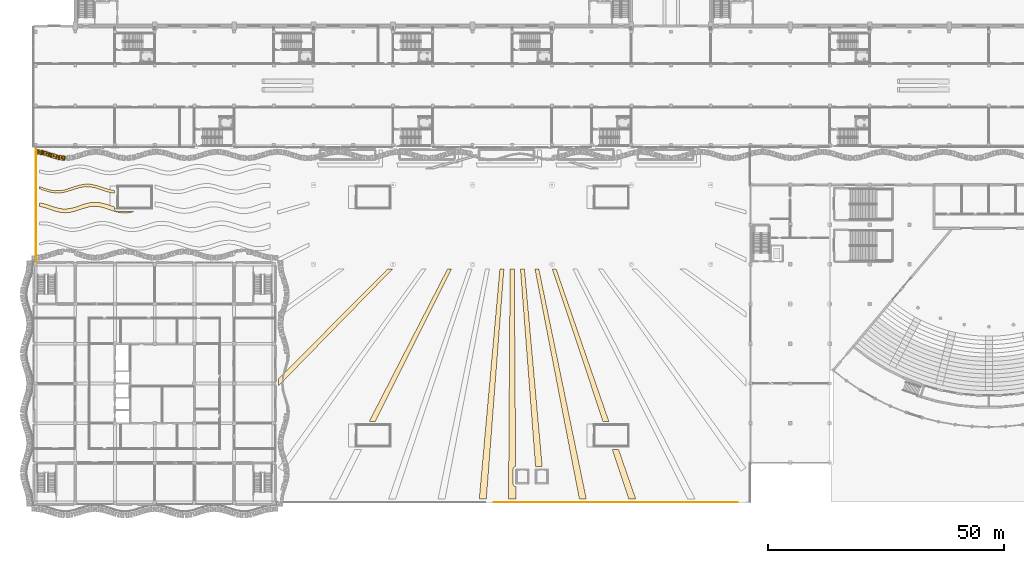
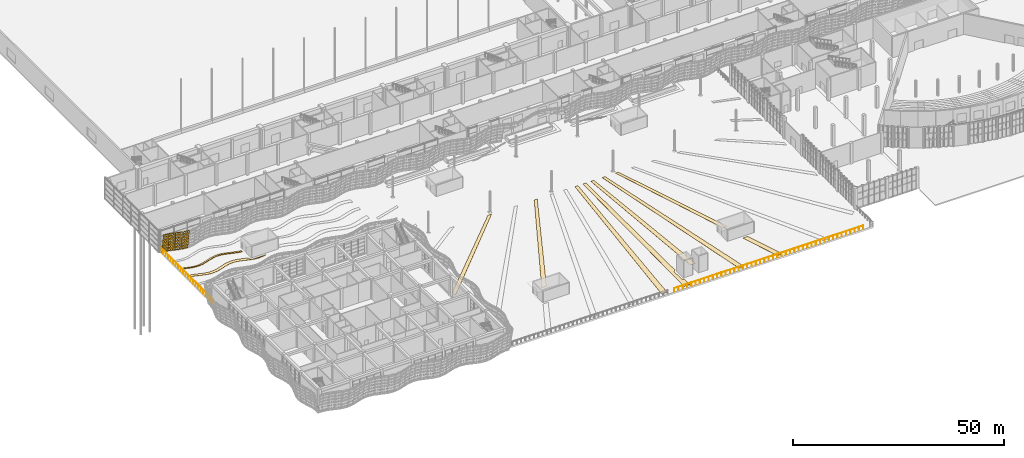
# One storey, part 165 of 210: 14 coverings, 2 railings.
"""IFC4 building model written with IfcOpenShell, lengths in metres."""

from ifc_helpers import new_model, si_unit, direction, frame, origin, origin_2d, place, context, subcontext, project, spatial, polyline, circle, outline, extrude, material, layer, layer_set, type_object, element, save


model = new_model("IFC4")

# Units and contexts
model_context = context("Model", 3, precision=1e-05, world=origin(), true_north=direction((0.0, 1.0)))
body_context = subcontext(model_context, "Body", "Model", "MODEL_VIEW")
ifc_project = project(units=[si_unit("LENGTHUNIT", "METRE"), si_unit("AREAUNIT", "SQUARE_METRE"), si_unit("VOLUMEUNIT", "CUBIC_METRE"), si_unit("PLANEANGLEUNIT", "RADIAN"), si_unit("MASSUNIT", "GRAM", prefix="KILO")], contexts=[model_context])

# Site, building, storey
site_placement = place(None, origin())
site = spatial("IfcSite", under=ifc_project, at=site_placement, CompositionType="ELEMENT")
building_placement = place(site_placement, origin())
building = spatial("IfcBuilding", under=site, at=building_placement, Name="Rain Tree Exposition and Congress Centre", CompositionType="ELEMENT")
storey_placement = place(building_placement, origin())
storey = spatial("IfcBuildingStorey", under=building, at=storey_placement, Name="L00", CompositionType="ELEMENT", Elevation=0.0)

# Coverings
ifc_material_1 = material(Name="Granite paving", Category="masonry")
ifc_layer_1 = layer(ifc_material_1, 0.030029296875)
ifc_layer_set_1 = layer_set([ifc_layer_1], Name="Granite paving")
covering_type_1 = type_object("IfcCoveringType", Name="Granite paving inlay 30", PredefinedType="FLOORING", material=ifc_layer_set_1)
covering_1_placement = place(storey_placement, origin())
element("IfcCovering", 1, at=covering_1_placement, inside=storey, type_object=covering_type_1, Name="Granite paving inlay 5", PredefinedType="FLOORING", context=body_context, shape_type="SweptSolid", body=[
    extrude(outline(polyline([(75.4990234375, 49.39990234375), (74.46240234375, 49.39990234375), (51.39990234375, 26.229248046875), (51.39990234375, 24.695556640625), (73.35791015625, 47.205078125), (75.4990234375, 49.39990234375)])), origin(), (0.0, 0.0, 1.0), 0.030029296875),
])
covering_2_placement = place(storey_placement, origin())
element("IfcCovering", 2, at=covering_2_placement, inside=storey, type_object=covering_type_1, Name="Granite paving inlay 7", PredefinedType="FLOORING", context=body_context, shape_type="SweptSolid", body=[
    extrude(outline(polyline([(87.95703125, 49.39990234375), (87.109619140625, 49.39990234375), (70.574951171875, 17.199951171875), (71.884033203125, 17.199951171875), (87.95703125, 49.39990234375)])), origin(), (0.0, 0.0, 1.0), 0.030029296875),
])
covering_3_placement = place(storey_placement, origin())
element("IfcCovering", 3, at=covering_3_placement, inside=storey, type_object=covering_type_1, Name="Granite paving inlay 11", PredefinedType="FLOORING", context=body_context, shape_type="SweptSolid", body=[
    extrude(outline(polyline([(99.05078125, 49.39990234375), (98.197265625, 49.39990234375), (93.83740234375, 0.800048828125), (95.338623046875, 0.800048828125), (99.05078125, 49.39990234375)])), origin(), (0.0, 0.0, 1.0), 0.030029296875),
])
covering_4_placement = place(storey_placement, origin())
element("IfcCovering", 4, at=covering_4_placement, inside=storey, type_object=covering_type_1, Name="Granite paving inlay 12", PredefinedType="FLOORING", context=body_context, shape_type="SweptSolid", body=[
    extrude(outline(polyline([(101.24609375, 49.39990234375), (100.353759765625, 49.39990234375), (100.0185546875, 0.800048828125), (101.581298828125, 0.800048828125), (101.5634765625, 3.40185546875), (101.370361328125, 3.44580078125), (101.17578125, 3.57568359375), (101.045654296875, 3.7705078125), (101.0, 4.0), (101.0029296875, 7.15869140625), (101.07080078125, 7.3828125), (101.17578125, 7.5244140625), (101.317138671875, 7.629150390625), (101.53369140625, 7.696044921875), (101.24609375, 49.39990234375)])), origin(), (0.0, 0.0, 1.0), 0.030029296875),
])
covering_5_placement = place(storey_placement, origin())
element("IfcCovering", 5, at=covering_5_placement, inside=storey, type_object=covering_type_1, Name="Granite paving inlay 13", PredefinedType="FLOORING", context=body_context, shape_type="SweptSolid", body=[
    extrude(outline(polyline([(103.40283203125, 49.39990234375), (102.549072265625, 49.39990234375), (105.734130859375, 7.699951171875), (107.143798828125, 7.699951171875), (105.579345703125, 25.137939453125), (103.40283203125, 49.39990234375)])), origin(), (0.0, 0.0, 1.0), 0.030029296875),
])
covering_6_placement = place(storey_placement, origin())
element("IfcCovering", 6, at=covering_6_placement, inside=storey, type_object=covering_type_1, Name="Granite paving inlay 14", PredefinedType="FLOORING", context=body_context, shape_type="SweptSolid", body=[
    extrude(outline(polyline([(106.44580078125, 49.39990234375), (105.61669921875, 49.39990234375), (115.000244140625, 0.800048828125), (116.468994140625, 0.800048828125), (109.44140625, 34.874755859375), (106.44580078125, 49.39990234375)])), origin(), (0.0, 0.0, 1.0), 0.030029296875),
])
covering_7_placement = place(storey_placement, origin())
element("IfcCovering", 7, at=covering_7_placement, inside=storey, type_object=covering_type_1, Name="Granite paving inlay 15", PredefinedType="FLOORING", context=body_context, shape_type="SweptSolid", body=[
    extrude(outline(polyline([(110.10302734375, 49.39990234375), (109.2783203125, 49.39990234375), (119.98828125, 17.199951171875), (121.24560546875, 17.199951171875), (114.450439453125, 36.837158203125), (110.10302734375, 49.39990234375)])), origin(), (0.0, 0.0, 1.0), 0.030029296875),
])
covering_8_placement = place(storey_placement, origin())
element("IfcCovering", 8, at=covering_8_placement, inside=storey, type_object=covering_type_1, Name="Granite paving inlay 16", PredefinedType="FLOORING", context=body_context, shape_type="SweptSolid", body=[
    extrude(outline(polyline([(123.322021484375, 11.199951171875), (121.98388671875, 11.199951171875), (125.443115234375, 0.800048828125), (126.9208984375, 0.800048828125), (124.23486328125, 8.561767578125), (123.322021484375, 11.199951171875)])), origin(), (0.0, 0.0, 1.0), 0.030029296875),
])
covering_9_placement = place(storey_placement, origin())
element("IfcCovering", 9, at=covering_9_placement, inside=storey, type_object=covering_type_1, Name="Granite paving inlay 32", PredefinedType="FLOORING", context=body_context, shape_type="SweptSolid", body=[
    extrude(outline(polyline([(2.208251953125, 63.10107421875), (1.115478515625, 63.36962890625), (0.800048828125, 63.39990234375), (0.800048828125, 62.640625), (0.984619140625, 62.62158203125), (1.99169921875, 62.36328125), (4.092529296875, 61.653564453125), (5.187744140625, 61.390380859375), (6.303955078125, 61.297119140625), (7.42041015625, 61.402587890625), (8.51611328125, 61.672119140625), (10.614990234375, 62.36181640625), (11.61669921875, 62.594970703125), (12.595703125, 62.66845703125), (13.57470703125, 62.56640625), (14.575927734375, 62.309326171875), (16.67724609375, 61.599609375), (17.779052734375, 61.334716796875), (18.904541015625, 61.240966796875), (20.030029296875, 61.34716796875), (21.05859375, 61.60009765625), (17.182861328125, 61.611572265625), (16.966796875, 61.701171875), (16.770751953125, 61.917236328125), (16.702880859375, 62.14111328125), (16.699951171875, 62.5380859375), (14.82421875, 63.15478515625), (13.72509765625, 63.425048828125), (12.604248046875, 63.531005859375), (11.4833984375, 63.4375), (10.385009765625, 63.17333984375), (8.283935546875, 62.463623046875), (7.27978515625, 62.2060546875), (6.296142578125, 62.103515625), (5.312255859375, 62.177490234375), (4.3076171875, 62.411376953125), (2.208251953125, 63.10107421875)])), origin(), (0.0, 0.0, 1.0), 0.030029296875),
])
covering_10_placement = place(storey_placement, origin())
element("IfcCovering", 10, at=covering_10_placement, inside=storey, type_object=covering_type_1, Name="Granite paving inlay 34", PredefinedType="FLOORING", context=body_context, shape_type="SweptSolid", body=[
    extrude(outline(polyline([(2.1708984375, 66.412841796875), (0.800048828125, 66.86669921875), (0.800048828125, 66.388671875), (2.029052734375, 65.966064453125), (3.097412109375, 65.650634765625), (4.1826171875, 65.473388671875), (5.27490234375, 65.485107421875), (6.3603515625, 65.681396484375), (8.4794921875, 66.3603515625), (9.5087890625, 66.655517578125), (10.51953125, 66.812255859375), (11.5224609375, 66.79248046875), (12.532958984375, 66.599609375), (14.612060546875, 65.912353515625), (15.68505859375, 65.595703125), (16.699951171875, 65.43017578125), (16.699951171875, 66.03466796875), (15.81494140625, 66.171875), (14.7880859375, 66.46630859375), (12.6669921875, 67.14599609375), (11.57763671875, 67.3427734375), (10.48046875, 67.3544921875), (9.391357421875, 67.1767578125), (8.320556640625, 66.86083984375), (6.239501953125, 66.173095703125), (5.22509765625, 65.9794921875), (4.217529296875, 65.959716796875), (3.202392578125, 66.116943359375), (2.1708984375, 66.412841796875)])), origin(), (0.0, 0.0, 1.0), 0.030029296875),
])

# Railings
ifc_material_2 = material(Name="Stainless steel", Category="steel")
railing_type = type_object("IfcRailingType", Name="Guard 1100 stainless", PredefinedType="GUARDRAIL", material=ifc_material_2)
railing_1_placement = place(storey_placement, frame((96.89990234375, 0.10009765625, 0.0)))
element("IfcRailing", 11, at=railing_1_placement, inside=storey, type_object=railing_type, Name="Deck edge guard south-2", PredefinedType="GUARDRAIL", context=body_context, shape_type="SweptSolid", body=[
    extrude(circle(Radius=0.02490234375, at=origin_2d()), frame((0.0, 0.0, 1.0751953125), z_axis=(1.0, 0.0, 0.0), x_axis=(0.0, 1.0, 0.0)), (0.0, 0.0, 1.0), 51.60009765625),
    extrude(circle(Radius=0.02490234375, at=origin_2d()), origin(), (0.0, 0.0, 1.0), 1.050048828125),
    extrude(circle(Radius=0.02490234375, at=origin_2d()), frame((1.1728515625, 0.0, 0.0)), (0.0, 0.0, 1.0), 1.050048828125),
    extrude(circle(Radius=0.02490234375, at=origin_2d()), frame((2.345458984375, 0.0, 0.0)), (0.0, 0.0, 1.0), 1.050048828125),
    extrude(circle(Radius=0.02490234375, at=origin_2d()), frame((3.51806640625, 0.0, 0.0)), (0.0, 0.0, 1.0), 1.050048828125),
    extrude(circle(Radius=0.02490234375, at=origin_2d()), frame((4.69091796875, 0.0, 0.0)), (0.0, 0.0, 1.0), 1.050048828125),
    extrude(circle(Radius=0.02490234375, at=origin_2d()), frame((5.86376953125, 0.0, 0.0)), (0.0, 0.0, 1.0), 1.050048828125),
    extrude(circle(Radius=0.02490234375, at=origin_2d()), frame((7.036376953125, 0.0, 0.0)), (0.0, 0.0, 1.0), 1.050048828125),
    extrude(circle(Radius=0.02490234375, at=origin_2d()), frame((8.208984375, 0.0, 0.0)), (0.0, 0.0, 1.0), 1.050048828125),
    extrude(circle(Radius=0.02490234375, at=origin_2d()), frame((9.3818359375, 0.0, 0.0)), (0.0, 0.0, 1.0), 1.050048828125),
    extrude(circle(Radius=0.02490234375, at=origin_2d()), frame((10.5546875, 0.0, 0.0)), (0.0, 0.0, 1.0), 1.050048828125),
    extrude(circle(Radius=0.02490234375, at=origin_2d()), frame((11.727294921875, 0.0, 0.0)), (0.0, 0.0, 1.0), 1.050048828125),
    extrude(circle(Radius=0.02490234375, at=origin_2d()), frame((12.89990234375, 0.0, 0.0)), (0.0, 0.0, 1.0), 1.050048828125),
    extrude(circle(Radius=0.02490234375, at=origin_2d()), frame((14.07275390625, 0.0, 0.0)), (0.0, 0.0, 1.0), 1.050048828125),
    extrude(circle(Radius=0.02490234375, at=origin_2d()), frame((15.24560546875, 0.0, 0.0)), (0.0, 0.0, 1.0), 1.050048828125),
    extrude(circle(Radius=0.02490234375, at=origin_2d()), frame((16.418212890625, 0.0, 0.0)), (0.0, 0.0, 1.0), 1.050048828125),
    extrude(circle(Radius=0.02490234375, at=origin_2d()), frame((17.5908203125, 0.0, 0.0)), (0.0, 0.0, 1.0), 1.050048828125),
    extrude(circle(Radius=0.02490234375, at=origin_2d()), frame((18.763671875, 0.0, 0.0)), (0.0, 0.0, 1.0), 1.050048828125),
    extrude(circle(Radius=0.02490234375, at=origin_2d()), frame((19.9365234375, 0.0, 0.0)), (0.0, 0.0, 1.0), 1.050048828125),
    extrude(circle(Radius=0.02490234375, at=origin_2d()), frame((21.109130859375, 0.0, 0.0)), (0.0, 0.0, 1.0), 1.050048828125),
    extrude(circle(Radius=0.02490234375, at=origin_2d()), frame((22.28173828125, 0.0, 0.0)), (0.0, 0.0, 1.0), 1.050048828125),
    extrude(circle(Radius=0.02490234375, at=origin_2d()), frame((23.45458984375, 0.0, 0.0)), (0.0, 0.0, 1.0), 1.050048828125),
    extrude(circle(Radius=0.02490234375, at=origin_2d()), frame((24.62744140625, 0.0, 0.0)), (0.0, 0.0, 1.0), 1.050048828125),
    extrude(circle(Radius=0.02490234375, at=origin_2d()), frame((25.800048828125, 0.0, 0.0)), (0.0, 0.0, 1.0), 1.050048828125),
    extrude(circle(Radius=0.02490234375, at=origin_2d()), frame((26.97265625, 0.0, 0.0)), (0.0, 0.0, 1.0), 1.050048828125),
    extrude(circle(Radius=0.02490234375, at=origin_2d()), frame((28.1455078125, 0.0, 0.0)), (0.0, 0.0, 1.0), 1.050048828125),
    extrude(circle(Radius=0.02490234375, at=origin_2d()), frame((29.318359375, 0.0, 0.0)), (0.0, 0.0, 1.0), 1.050048828125),
    extrude(circle(Radius=0.02490234375, at=origin_2d()), frame((30.490966796875, 0.0, 0.0)), (0.0, 0.0, 1.0), 1.050048828125),
    extrude(circle(Radius=0.02490234375, at=origin_2d()), frame((31.66357421875, 0.0, 0.0)), (0.0, 0.0, 1.0), 1.050048828125),
    extrude(circle(Radius=0.02490234375, at=origin_2d()), frame((32.83642578125, 0.0, 0.0)), (0.0, 0.0, 1.0), 1.050048828125),
    extrude(circle(Radius=0.02490234375, at=origin_2d()), frame((34.00927734375, 0.0, 0.0)), (0.0, 0.0, 1.0), 1.050048828125),
    extrude(circle(Radius=0.02490234375, at=origin_2d()), frame((35.181884765625, 0.0, 0.0)), (0.0, 0.0, 1.0), 1.050048828125),
    extrude(circle(Radius=0.02490234375, at=origin_2d()), frame((36.3544921875, 0.0, 0.0)), (0.0, 0.0, 1.0), 1.050048828125),
    extrude(circle(Radius=0.02490234375, at=origin_2d()), frame((37.52734375, 0.0, 0.0)), (0.0, 0.0, 1.0), 1.050048828125),
    extrude(circle(Radius=0.02490234375, at=origin_2d()), frame((38.7001953125, 0.0, 0.0)), (0.0, 0.0, 1.0), 1.050048828125),
    extrude(circle(Radius=0.02490234375, at=origin_2d()), frame((39.872802734375, 0.0, 0.0)), (0.0, 0.0, 1.0), 1.050048828125),
    extrude(circle(Radius=0.02490234375, at=origin_2d()), frame((41.04541015625, 0.0, 0.0)), (0.0, 0.0, 1.0), 1.050048828125),
    extrude(circle(Radius=0.02490234375, at=origin_2d()), frame((42.21826171875, 0.0, 0.0)), (0.0, 0.0, 1.0), 1.050048828125),
    extrude(circle(Radius=0.02490234375, at=origin_2d()), frame((43.39111328125, 0.0, 0.0)), (0.0, 0.0, 1.0), 1.050048828125),
    extrude(circle(Radius=0.02490234375, at=origin_2d()), frame((44.563720703125, 0.0, 0.0)), (0.0, 0.0, 1.0), 1.050048828125),
    extrude(circle(Radius=0.02490234375, at=origin_2d()), frame((45.736328125, 0.0, 0.0)), (0.0, 0.0, 1.0), 1.050048828125),
    extrude(circle(Radius=0.02490234375, at=origin_2d()), frame((46.9091796875, 0.0, 0.0)), (0.0, 0.0, 1.0), 1.050048828125),
    extrude(circle(Radius=0.02490234375, at=origin_2d()), frame((48.08203125, 0.0, 0.0)), (0.0, 0.0, 1.0), 1.050048828125),
    extrude(circle(Radius=0.02490234375, at=origin_2d()), frame((49.254638671875, 0.0, 0.0)), (0.0, 0.0, 1.0), 1.050048828125),
    extrude(circle(Radius=0.02490234375, at=origin_2d()), frame((50.42724609375, 0.0, 0.0)), (0.0, 0.0, 1.0), 1.050048828125),
    extrude(circle(Radius=0.02490234375, at=origin_2d()), frame((51.60009765625, 0.0, 0.0)), (0.0, 0.0, 1.0), 1.050048828125),
])
railing_2_placement = place(storey_placement, frame((0.10009765625, 50.39990234375, 0.0)))
element("IfcRailing", 12, at=railing_2_placement, inside=storey, type_object=railing_type, Name="Deck edge guard west", PredefinedType="GUARDRAIL", context=body_context, shape_type="SweptSolid", body=[
    extrude(circle(Radius=0.02490234375, at=origin_2d()), frame((0.0, 0.0, 1.0751953125), z_axis=(0.0, 1.0, 0.0), x_axis=(-1.0, 0.0, 0.0)), (0.0, 0.0, 1.0), 24.900146484375),
    extrude(circle(Radius=0.02490234375, at=origin_2d()), origin(), (0.0, 0.0, 1.0), 1.050048828125),
    extrude(circle(Radius=0.02490234375, at=origin_2d()), frame((0.0, 1.185791015625, 0.0)), (0.0, 0.0, 1.0), 1.050048828125),
    extrude(circle(Radius=0.02490234375, at=origin_2d()), frame((0.0, 2.371337890625, 0.0)), (0.0, 0.0, 1.0), 1.050048828125),
    extrude(circle(Radius=0.02490234375, at=origin_2d()), frame((0.0, 3.55712890625, 0.0)), (0.0, 0.0, 1.0), 1.050048828125),
    extrude(circle(Radius=0.02490234375, at=origin_2d()), frame((0.0, 4.742919921875, 0.0)), (0.0, 0.0, 1.0), 1.050048828125),
    extrude(circle(Radius=0.02490234375, at=origin_2d()), frame((0.0, 5.9287109375, 0.0)), (0.0, 0.0, 1.0), 1.050048828125),
    extrude(circle(Radius=0.02490234375, at=origin_2d()), frame((0.0, 7.1142578125, 0.0)), (0.0, 0.0, 1.0), 1.050048828125),
    extrude(circle(Radius=0.02490234375, at=origin_2d()), frame((0.0, 8.300048828125, 0.0)), (0.0, 0.0, 1.0), 1.050048828125),
    extrude(circle(Radius=0.02490234375, at=origin_2d()), frame((0.0, 9.48583984375, 0.0)), (0.0, 0.0, 1.0), 1.050048828125),
    extrude(circle(Radius=0.02490234375, at=origin_2d()), frame((0.0, 10.67138671875, 0.0)), (0.0, 0.0, 1.0), 1.050048828125),
    extrude(circle(Radius=0.02490234375, at=origin_2d()), frame((0.0, 11.857177734375, 0.0)), (0.0, 0.0, 1.0), 1.050048828125),
    extrude(circle(Radius=0.02490234375, at=origin_2d()), frame((0.0, 13.04296875, 0.0)), (0.0, 0.0, 1.0), 1.050048828125),
    extrude(circle(Radius=0.02490234375, at=origin_2d()), frame((0.0, 14.228759765625, 0.0)), (0.0, 0.0, 1.0), 1.050048828125),
    extrude(circle(Radius=0.02490234375, at=origin_2d()), frame((0.0, 15.414306640625, 0.0)), (0.0, 0.0, 1.0), 1.050048828125),
    extrude(circle(Radius=0.02490234375, at=origin_2d()), frame((0.0, 16.60009765625, 0.0)), (0.0, 0.0, 1.0), 1.050048828125),
    extrude(circle(Radius=0.02490234375, at=origin_2d()), frame((0.0, 17.785888671875, 0.0)), (0.0, 0.0, 1.0), 1.050048828125),
    extrude(circle(Radius=0.02490234375, at=origin_2d()), frame((0.0, 18.971435546875, 0.0)), (0.0, 0.0, 1.0), 1.050048828125),
    extrude(circle(Radius=0.02490234375, at=origin_2d()), frame((0.0, 20.1572265625, 0.0)), (0.0, 0.0, 1.0), 1.050048828125),
    extrude(circle(Radius=0.02490234375, at=origin_2d()), frame((0.0, 21.343017578125, 0.0)), (0.0, 0.0, 1.0), 1.050048828125),
    extrude(circle(Radius=0.02490234375, at=origin_2d()), frame((0.0, 22.52880859375, 0.0)), (0.0, 0.0, 1.0), 1.050048828125),
    extrude(circle(Radius=0.02490234375, at=origin_2d()), frame((0.0, 23.71435546875, 0.0)), (0.0, 0.0, 1.0), 1.050048828125),
    extrude(circle(Radius=0.02490234375, at=origin_2d()), frame((0.0, 24.900146484375, 0.0)), (0.0, 0.0, 1.0), 1.050048828125),
])

# Coverings
ifc_material_3 = material(Name="Perforated terracotta", Category="masonry")
ifc_layer_2 = layer(ifc_material_3, 0.080078125)
ifc_layer_set_2 = layer_set([ifc_layer_2], Name="Perforated terracotta")
covering_type_2 = type_object("IfcCoveringType", Name="Terracotta screen 80", PredefinedType="CLADDING", material=ifc_layer_set_2)
covering_11_placement = place(storey_placement, frame((0.0, 74.64990234375, 0.0), z_axis=(0.125030801275, 0.978899688033, 0.161625182136), x_axis=(-0.991941518713, 0.126696580272, 0.0)))
element("IfcCovering", 13, at=covering_11_placement, inside=storey, type_object=covering_type_2, Name="concourse/screen/L00/001", PredefinedType="CLADDING", context=body_context, shape_type="SweptSolid", body=[
    extrude(outline(polyline([(-0.014892578125, 0.0), (-1.59814453125, 0.0), (-1.59814453125, 5.813720703125), (-0.014892578125, 5.813720703125), (-0.014892578125, 0.0)]), holes=[polyline([(-0.115234375, 0.25), (-0.115234375, 0.718994140625), (-0.4423828125, 0.718994140625), (-0.4423828125, 0.25), (-0.115234375, 0.25)]), polyline([(-0.115234375, 1.218994140625), (-0.115234375, 1.687744140625), (-0.4423828125, 1.687744140625), (-0.4423828125, 1.218994140625), (-0.115234375, 1.218994140625)]), polyline([(-0.115234375, 2.18798828125), (-0.115234375, 2.65673828125), (-0.4423828125, 2.65673828125), (-0.4423828125, 2.18798828125), (-0.115234375, 2.18798828125)]), polyline([(-0.115234375, 3.156982421875), (-0.115234375, 3.625732421875), (-0.4423828125, 3.625732421875), (-0.4423828125, 3.156982421875), (-0.115234375, 3.156982421875)]), polyline([(-0.115234375, 4.125732421875), (-0.115234375, 4.594482421875), (-0.4423828125, 4.594482421875), (-0.4423828125, 4.125732421875), (-0.115234375, 4.125732421875)]), polyline([(-0.115234375, 5.0947265625), (-0.115234375, 5.563720703125), (-0.4423828125, 5.563720703125), (-0.4423828125, 5.0947265625), (-0.115234375, 5.0947265625)]), polyline([(-0.64306640625, 0.25), (-0.64306640625, 0.718994140625), (-0.97021484375, 0.718994140625), (-0.97021484375, 0.25), (-0.64306640625, 0.25)]), polyline([(-0.64306640625, 1.218994140625), (-0.64306640625, 1.687744140625), (-0.97021484375, 1.687744140625), (-0.97021484375, 1.218994140625), (-0.64306640625, 1.218994140625)]), polyline([(-0.64306640625, 2.18798828125), (-0.64306640625, 2.65673828125), (-0.97021484375, 2.65673828125), (-0.97021484375, 2.18798828125), (-0.64306640625, 2.18798828125)]), polyline([(-0.64306640625, 3.156982421875), (-0.64306640625, 3.625732421875), (-0.97021484375, 3.625732421875), (-0.97021484375, 3.156982421875), (-0.64306640625, 3.156982421875)]), polyline([(-0.64306640625, 4.125732421875), (-0.64306640625, 4.594482421875), (-0.97021484375, 4.594482421875), (-0.97021484375, 4.125732421875), (-0.64306640625, 4.125732421875)]), polyline([(-0.64306640625, 5.0947265625), (-0.64306640625, 5.563720703125), (-0.97021484375, 5.563720703125), (-0.97021484375, 5.0947265625), (-0.64306640625, 5.0947265625)]), polyline([(-1.170654296875, 0.25), (-1.170654296875, 0.718994140625), (-1.497802734375, 0.718994140625), (-1.497802734375, 0.25), (-1.170654296875, 0.25)]), polyline([(-1.170654296875, 1.218994140625), (-1.170654296875, 1.687744140625), (-1.497802734375, 1.687744140625), (-1.497802734375, 1.218994140625), (-1.170654296875, 1.218994140625)]), polyline([(-1.170654296875, 2.18798828125), (-1.170654296875, 2.65673828125), (-1.497802734375, 2.65673828125), (-1.497802734375, 2.18798828125), (-1.170654296875, 2.18798828125)]), polyline([(-1.170654296875, 3.156982421875), (-1.170654296875, 3.625732421875), (-1.497802734375, 3.625732421875), (-1.497802734375, 3.156982421875), (-1.170654296875, 3.156982421875)]), polyline([(-1.170654296875, 4.125732421875), (-1.170654296875, 4.594482421875), (-1.497802734375, 4.594482421875), (-1.497802734375, 4.125732421875), (-1.170654296875, 4.125732421875)]), polyline([(-1.170654296875, 5.0947265625), (-1.170654296875, 5.563720703125), (-1.497802734375, 5.563720703125), (-1.497802734375, 5.0947265625), (-1.170654296875, 5.0947265625)])]), origin(), (0.0, 0.0, 1.0), 0.080078125),
])
covering_12_placement = place(storey_placement, frame((1.60009765625, 74.445068359375, 0.0), z_axis=(0.290278371326, 0.94416859726, 0.155833651975), x_axis=(-0.955845867297, 0.293868470528, 0.0)))
element("IfcCovering", 14, at=covering_12_placement, inside=storey, type_object=covering_type_2, Name="concourse/screen/L00/002", PredefinedType="CLADDING", context=body_context, shape_type="SweptSolid", body=[
    extrude(outline(polyline([(-0.014892578125, 0.0), (-1.659912109375, 0.0), (-1.659912109375, 5.80859375), (-0.014892578125, 5.80859375), (-0.014892578125, 0.0)]), holes=[polyline([(-0.119140625, 0.249755859375), (-0.119140625, 0.71826171875), (-0.458984375, 0.71826171875), (-0.458984375, 0.249755859375), (-0.119140625, 0.249755859375)]), polyline([(-0.119140625, 1.218017578125), (-0.119140625, 1.686279296875), (-0.458984375, 1.686279296875), (-0.458984375, 1.218017578125), (-0.119140625, 1.218017578125)]), polyline([(-0.119140625, 2.18603515625), (-0.119140625, 2.654541015625), (-0.458984375, 2.654541015625), (-0.458984375, 2.18603515625), (-0.119140625, 2.18603515625)]), polyline([(-0.119140625, 3.154052734375), (-0.119140625, 3.62255859375), (-0.458984375, 3.62255859375), (-0.458984375, 3.154052734375), (-0.119140625, 3.154052734375)]), polyline([(-0.119140625, 4.122314453125), (-0.119140625, 4.5908203125), (-0.458984375, 4.5908203125), (-0.458984375, 4.122314453125), (-0.119140625, 4.122314453125)]), polyline([(-0.119140625, 5.09033203125), (-0.119140625, 5.558837890625), (-0.458984375, 5.558837890625), (-0.458984375, 5.09033203125), (-0.119140625, 5.09033203125)]), polyline([(-0.66748046875, 0.249755859375), (-0.66748046875, 0.71826171875), (-1.00732421875, 0.71826171875), (-1.00732421875, 0.249755859375), (-0.66748046875, 0.249755859375)]), polyline([(-0.66748046875, 1.218017578125), (-0.66748046875, 1.686279296875), (-1.00732421875, 1.686279296875), (-1.00732421875, 1.218017578125), (-0.66748046875, 1.218017578125)]), polyline([(-0.66748046875, 2.18603515625), (-0.66748046875, 2.654541015625), (-1.00732421875, 2.654541015625), (-1.00732421875, 2.18603515625), (-0.66748046875, 2.18603515625)]), polyline([(-0.66748046875, 3.154052734375), (-0.66748046875, 3.62255859375), (-1.00732421875, 3.62255859375), (-1.00732421875, 3.154052734375), (-0.66748046875, 3.154052734375)]), polyline([(-0.66748046875, 4.122314453125), (-0.66748046875, 4.5908203125), (-1.00732421875, 4.5908203125), (-1.00732421875, 4.122314453125), (-0.66748046875, 4.122314453125)]), polyline([(-0.66748046875, 5.09033203125), (-0.66748046875, 5.558837890625), (-1.00732421875, 5.558837890625), (-1.00732421875, 5.09033203125), (-0.66748046875, 5.09033203125)]), polyline([(-1.2158203125, 0.249755859375), (-1.2158203125, 0.71826171875), (-1.5556640625, 0.71826171875), (-1.5556640625, 0.249755859375), (-1.2158203125, 0.249755859375)]), polyline([(-1.2158203125, 1.218017578125), (-1.2158203125, 1.686279296875), (-1.5556640625, 1.686279296875), (-1.5556640625, 1.218017578125), (-1.2158203125, 1.218017578125)]), polyline([(-1.2158203125, 2.18603515625), (-1.2158203125, 2.654541015625), (-1.5556640625, 2.654541015625), (-1.5556640625, 2.18603515625), (-1.2158203125, 2.18603515625)]), polyline([(-1.2158203125, 3.154052734375), (-1.2158203125, 3.62255859375), (-1.5556640625, 3.62255859375), (-1.5556640625, 3.154052734375), (-1.2158203125, 3.154052734375)]), polyline([(-1.2158203125, 4.122314453125), (-1.2158203125, 4.5908203125), (-1.5556640625, 4.5908203125), (-1.5556640625, 4.122314453125), (-1.2158203125, 4.122314453125)]), polyline([(-1.2158203125, 5.09033203125), (-1.2158203125, 5.558837890625), (-1.5556640625, 5.558837890625), (-1.5556640625, 5.09033203125), (-1.2158203125, 5.09033203125)])]), origin(), (0.0, 0.0, 1.0), 0.079833984375),
])
covering_13_placement = place(storey_placement, frame((3.199951171875, 73.949951171875, 0.0), z_axis=(0.293072736571, 0.943327870838, 0.155694891303), x_axis=(-0.954973588716, 0.296690823679, 0.0)))
element("IfcCovering", 15, at=covering_13_placement, inside=storey, type_object=covering_type_2, Name="concourse/screen/L00/003", PredefinedType="CLADDING", context=body_context, shape_type="SweptSolid", body=[
    extrude(outline(polyline([(-0.014892578125, 0.0), (-1.65283203125, 0.0), (-1.65283203125, 5.80859375), (-0.014892578125, 5.80859375), (-0.014892578125, 0.0)]), holes=[polyline([(-0.11865234375, 0.249755859375), (-0.11865234375, 0.71826171875), (-0.457275390625, 0.71826171875), (-0.457275390625, 0.249755859375), (-0.11865234375, 0.249755859375)]), polyline([(-0.11865234375, 1.218017578125), (-0.11865234375, 1.686279296875), (-0.457275390625, 1.686279296875), (-0.457275390625, 1.218017578125), (-0.11865234375, 1.218017578125)]), polyline([(-0.11865234375, 2.18603515625), (-0.11865234375, 2.654541015625), (-0.457275390625, 2.654541015625), (-0.457275390625, 2.18603515625), (-0.11865234375, 2.18603515625)]), polyline([(-0.11865234375, 3.154052734375), (-0.11865234375, 3.62255859375), (-0.457275390625, 3.62255859375), (-0.457275390625, 3.154052734375), (-0.11865234375, 3.154052734375)]), polyline([(-0.11865234375, 4.122314453125), (-0.11865234375, 4.5908203125), (-0.457275390625, 4.5908203125), (-0.457275390625, 4.122314453125), (-0.11865234375, 4.122314453125)]), polyline([(-0.11865234375, 5.09033203125), (-0.11865234375, 5.558837890625), (-0.457275390625, 5.558837890625), (-0.457275390625, 5.09033203125), (-0.11865234375, 5.09033203125)]), polyline([(-0.664794921875, 0.249755859375), (-0.664794921875, 0.71826171875), (-1.003173828125, 0.71826171875), (-1.003173828125, 0.249755859375), (-0.664794921875, 0.249755859375)]), polyline([(-0.664794921875, 1.218017578125), (-0.664794921875, 1.686279296875), (-1.003173828125, 1.686279296875), (-1.003173828125, 1.218017578125), (-0.664794921875, 1.218017578125)]), polyline([(-0.664794921875, 2.18603515625), (-0.664794921875, 2.654541015625), (-1.003173828125, 2.654541015625), (-1.003173828125, 2.18603515625), (-0.664794921875, 2.18603515625)]), polyline([(-0.664794921875, 3.154052734375), (-0.664794921875, 3.62255859375), (-1.003173828125, 3.62255859375), (-1.003173828125, 3.154052734375), (-0.664794921875, 3.154052734375)]), polyline([(-0.664794921875, 4.122314453125), (-0.664794921875, 4.5908203125), (-1.003173828125, 4.5908203125), (-1.003173828125, 4.122314453125), (-0.664794921875, 4.122314453125)]), polyline([(-0.664794921875, 5.09033203125), (-0.664794921875, 5.558837890625), (-1.003173828125, 5.558837890625), (-1.003173828125, 5.09033203125), (-0.664794921875, 5.09033203125)]), polyline([(-1.210693359375, 0.249755859375), (-1.210693359375, 0.71826171875), (-1.54931640625, 0.71826171875), (-1.54931640625, 0.249755859375), (-1.210693359375, 0.249755859375)]), polyline([(-1.210693359375, 1.218017578125), (-1.210693359375, 1.686279296875), (-1.54931640625, 1.686279296875), (-1.54931640625, 1.218017578125), (-1.210693359375, 1.218017578125)]), polyline([(-1.210693359375, 2.18603515625), (-1.210693359375, 2.654541015625), (-1.54931640625, 2.654541015625), (-1.54931640625, 2.18603515625), (-1.210693359375, 2.18603515625)]), polyline([(-1.210693359375, 3.154052734375), (-1.210693359375, 3.62255859375), (-1.54931640625, 3.62255859375), (-1.54931640625, 3.154052734375), (-1.210693359375, 3.154052734375)]), polyline([(-1.210693359375, 4.122314453125), (-1.210693359375, 4.5908203125), (-1.54931640625, 4.5908203125), (-1.54931640625, 4.122314453125), (-1.210693359375, 4.122314453125)]), polyline([(-1.210693359375, 5.09033203125), (-1.210693359375, 5.558837890625), (-1.54931640625, 5.558837890625), (-1.54931640625, 5.09033203125), (-1.210693359375, 5.09033203125)])]), origin(), (0.0, 0.0, 1.0), 0.080078125),
])
covering_14_placement = place(storey_placement, frame((4.800048828125, 73.455078125, 0.0), z_axis=(0.125405134464, 0.978771781185, 0.162109076259), x_axis=(-0.991891686382, 0.127086122318, 0.0)))
element("IfcCovering", 16, at=covering_14_placement, inside=storey, type_object=covering_type_2, Name="concourse/screen/L00/004", PredefinedType="CLADDING", context=body_context, shape_type="SweptSolid", body=[
    extrude(outline(polyline([(-0.02197265625, 0.0), (-1.587890625, 0.0), (-1.587890625, 5.813720703125), (-0.02197265625, 5.813720703125), (-0.02197265625, 0.0)]), holes=[polyline([(-0.12109375, 0.25), (-0.12109375, 0.718994140625), (-0.444580078125, 0.718994140625), (-0.444580078125, 0.25), (-0.12109375, 0.25)]), polyline([(-0.12109375, 1.218994140625), (-0.12109375, 1.687744140625), (-0.444580078125, 1.687744140625), (-0.444580078125, 1.218994140625), (-0.12109375, 1.218994140625)]), polyline([(-0.12109375, 2.18798828125), (-0.12109375, 2.65673828125), (-0.444580078125, 2.65673828125), (-0.444580078125, 2.18798828125), (-0.12109375, 2.18798828125)]), polyline([(-0.12109375, 3.156982421875), (-0.12109375, 3.625732421875), (-0.444580078125, 3.625732421875), (-0.444580078125, 3.156982421875), (-0.12109375, 3.156982421875)]), polyline([(-0.12109375, 4.125732421875), (-0.12109375, 4.594482421875), (-0.444580078125, 4.594482421875), (-0.444580078125, 4.125732421875), (-0.12109375, 4.125732421875)]), polyline([(-0.12109375, 5.0947265625), (-0.12109375, 5.563720703125), (-0.444580078125, 5.563720703125), (-0.444580078125, 5.0947265625), (-0.12109375, 5.0947265625)]), polyline([(-0.64306640625, 0.25), (-0.64306640625, 0.718994140625), (-0.966796875, 0.718994140625), (-0.966796875, 0.25), (-0.64306640625, 0.25)]), polyline([(-0.64306640625, 1.218994140625), (-0.64306640625, 1.687744140625), (-0.966796875, 1.687744140625), (-0.966796875, 1.218994140625), (-0.64306640625, 1.218994140625)]), polyline([(-0.64306640625, 2.18798828125), (-0.64306640625, 2.65673828125), (-0.966796875, 2.65673828125), (-0.966796875, 2.18798828125), (-0.64306640625, 2.18798828125)]), polyline([(-0.64306640625, 3.156982421875), (-0.64306640625, 3.625732421875), (-0.966796875, 3.625732421875), (-0.966796875, 3.156982421875), (-0.64306640625, 3.156982421875)]), polyline([(-0.64306640625, 4.125732421875), (-0.64306640625, 4.594482421875), (-0.966796875, 4.594482421875), (-0.966796875, 4.125732421875), (-0.64306640625, 4.125732421875)]), polyline([(-0.64306640625, 5.0947265625), (-0.64306640625, 5.563720703125), (-0.966796875, 5.563720703125), (-0.966796875, 5.0947265625), (-0.64306640625, 5.0947265625)]), polyline([(-1.1650390625, 0.25), (-1.1650390625, 0.718994140625), (-1.48876953125, 0.718994140625), (-1.48876953125, 0.25), (-1.1650390625, 0.25)]), polyline([(-1.1650390625, 1.218994140625), (-1.1650390625, 1.687744140625), (-1.48876953125, 1.687744140625), (-1.48876953125, 1.218994140625), (-1.1650390625, 1.218994140625)]), polyline([(-1.1650390625, 2.18798828125), (-1.1650390625, 2.65673828125), (-1.48876953125, 2.65673828125), (-1.48876953125, 2.18798828125), (-1.1650390625, 2.18798828125)]), polyline([(-1.1650390625, 3.156982421875), (-1.1650390625, 3.625732421875), (-1.48876953125, 3.625732421875), (-1.48876953125, 3.156982421875), (-1.1650390625, 3.156982421875)]), polyline([(-1.1650390625, 4.125732421875), (-1.1650390625, 4.594482421875), (-1.48876953125, 4.594482421875), (-1.48876953125, 4.125732421875), (-1.1650390625, 4.125732421875)]), polyline([(-1.1650390625, 5.0947265625), (-1.1650390625, 5.563720703125), (-1.48876953125, 5.563720703125), (-1.48876953125, 5.0947265625), (-1.1650390625, 5.0947265625)])]), origin(), (0.0, 0.0, 1.0), 0.079833984375),
])

save(model, "model.ifc")
